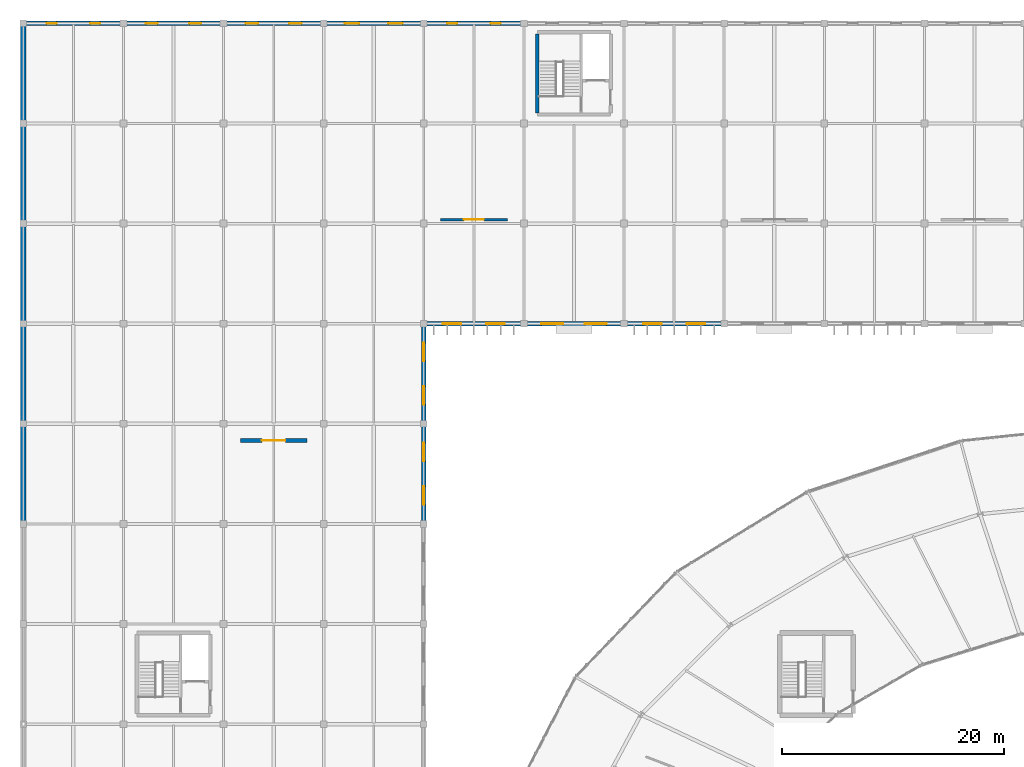
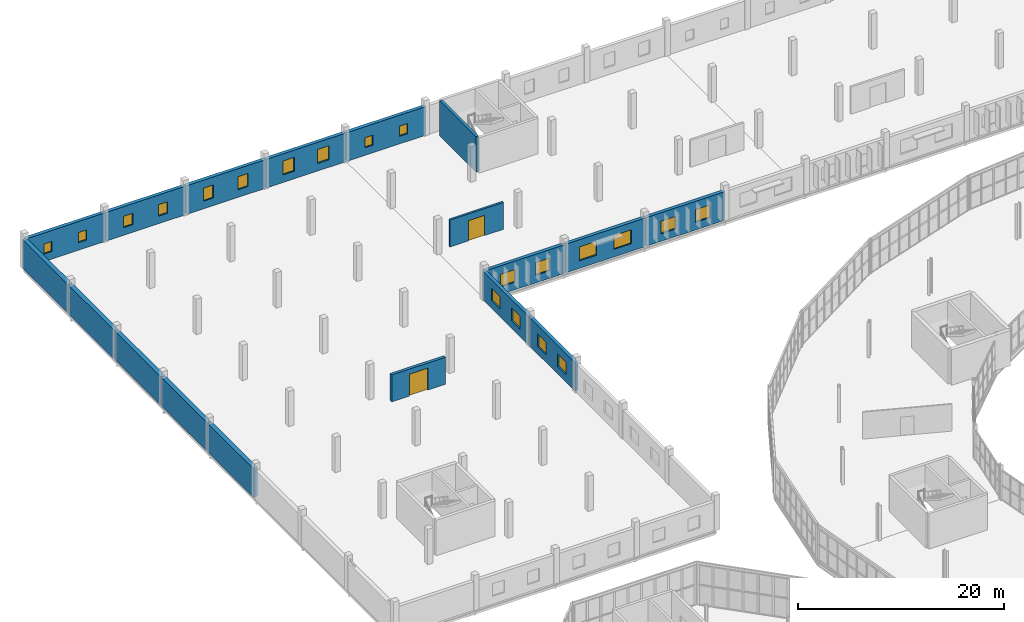
# One storey, part 144 of 161: 20 windows, 18 walls, 2 doors, 22 openings.
"""IFC4 building model written with IfcOpenShell, lengths in metres."""

import ifcopenshell
import ifcopenshell.guid

model = None  # the IFC model being written
_history = None  # IfcOwnerHistory: only IFC2X3 demands one
_inside = {}  # id of a spatial element -> (the spatial element, [elements in it])
_under = {}  # id of a project, library or spatial element -> (it, [spatial elements below it])
_declared = {}  # id of a project -> (the project, [libraries it declares])
_typed = {}  # id of a type object -> (the type object, [elements of that type])
_made_of = {}  # id of a material, layer set ... -> (it, [elements and type objects made of it])


def new_model(schema):
    """Start an empty IFC model of exactly this schema.

    Asked for "IFC4X3", IfcOpenShell would pick the latest addendum, in which some entities
    have other attributes; the version numbers below select the first issue.
    IFC2X3 requires an IfcOwnerHistory on every rooted entity: one is made here for all.
    """
    global model, _history
    if schema == "IFC4X3":
        model = ifcopenshell.file(schema_version=(4, 3, 0, 0))
    else:
        model = ifcopenshell.file(schema=schema)
    _inside.clear()
    _under.clear()
    _declared.clear()
    _typed.clear()
    _made_of.clear()
    _history = None
    if model.schema == "IFC2X3":
        org = make("IfcOrganization", Name="unknown")
        user = make(
            "IfcPersonAndOrganization",
            ThePerson=make("IfcPerson", FamilyName="unknown"),
            TheOrganization=org,
        )
        app = make(
            "IfcApplication",
            ApplicationDeveloper=org,
            Version="unknown",
            ApplicationFullName="unknown",
            ApplicationIdentifier="unknown",
        )
        _history = make(
            "IfcOwnerHistory",
            OwningUser=user,
            OwningApplication=app,
            ChangeAction="ADDED",
            CreationDate=0,
        )
    return model


def make(cls, **values):
    """One entity of the class cls with the attributes given. An attribute that is None is left unset."""
    return model.create_entity(
        cls, **{name: value for name, value in values.items() if value is not None}
    )


def rooted(cls, **values):
    """An entity with a GlobalId (a new one), such as an element, a storey or a relation."""
    return make(cls, GlobalId=ifcopenshell.guid.new(), OwnerHistory=_history, **values)


def si_unit(unit_type, name, prefix=None):
    """IfcSIUnit, for example si_unit("LENGTHUNIT", "METRE", prefix="MILLI")."""
    return make("IfcSIUnit", UnitType=unit_type, Prefix=prefix, Name=name)


def assignment(units):
    """IfcUnitAssignment: the units of a project."""
    return None if units is None else make("IfcUnitAssignment", Units=units)


def point(xyz):
    """IfcCartesianPoint."""
    return None if xyz is None else make("IfcCartesianPoint", Coordinates=xyz)


def direction(xyz):
    """IfcDirection."""
    return None if xyz is None else make("IfcDirection", DirectionRatios=xyz)


def frame(location, z_axis=None, x_axis=None):
    """IfcAxis2Placement3D, a coordinate frame: its origin and axes. An axis left out is left unset."""
    return make(
        "IfcAxis2Placement3D",
        Location=point(location),
        Axis=direction(z_axis),
        RefDirection=direction(x_axis),
    )


def frame_2d(location, x_axis=None):
    """IfcAxis2Placement2D, a coordinate frame in the plane: its origin and x axis."""
    return make(
        "IfcAxis2Placement2D", Location=point(location), RefDirection=direction(x_axis)
    )


def origin():
    """The frame at (0, 0, 0) with its axes left unset."""
    return frame((0.0, 0.0, 0.0))


def place(relative_to, where):
    """IfcLocalPlacement: puts the frame where relative to a parent placement (None: the world)."""
    return make(
        "IfcLocalPlacement", PlacementRelTo=relative_to, RelativePlacement=where
    )


def context(
    kind, dimensions, precision=None, world=None, true_north=None, identifier=None
):
    """IfcGeometricRepresentationContext, for example the 3D "Model" context."""
    return make(
        "IfcGeometricRepresentationContext",
        ContextIdentifier=identifier,
        ContextType=kind,
        CoordinateSpaceDimension=dimensions,
        Precision=precision,
        WorldCoordinateSystem=world,
        TrueNorth=true_north,
    )


def subcontext(parent, identifier, kind, view, scale=None):
    """IfcGeometricRepresentationSubContext, for example "Body" below "Model"."""
    return make(
        "IfcGeometricRepresentationSubContext",
        ContextIdentifier=identifier,
        ContextType=kind,
        ParentContext=parent,
        TargetScale=scale,
        TargetView=view,
    )


def project(units=None, contexts=None):
    """IfcProject with its units and contexts."""
    return rooted(
        "IfcProject",
        Name="project",
        RepresentationContexts=contexts,
        UnitsInContext=assignment(units),
    )


def spatial(cls, under=None, at=None, **own):
    """A site, building, storey or space (cls), placed at a placement, below another one or the project."""
    s = rooted(cls, ObjectPlacement=at, **own)
    if under is not None:
        _under.setdefault(under.id(), (under, []))[1].append(s)
    return s


def profile(cls, at=None, kind="AREA", **sizes):
    """A parametric profile (cls). Its sizes go by their IFC names, for example OverallWidth=200.0."""
    return make(cls, ProfileType=kind, Position=at, **sizes)


def rectangle(**sizes):
    """IfcRectangleProfileDef."""
    return profile("IfcRectangleProfileDef", **sizes)


def extrude(swept, where, along, depth):
    """IfcExtrudedAreaSolid: the profile swept, set in the frame where, extruded along a direction by depth."""
    return make(
        "IfcExtrudedAreaSolid",
        SweptArea=swept,
        Position=where,
        ExtrudedDirection=direction(along),
        Depth=depth,
    )


def shape(context_of_items, identifier, shape_type, items):
    """IfcShapeRepresentation: the items that make up one representation, for example the "Body"."""
    return make(
        "IfcShapeRepresentation",
        ContextOfItems=context_of_items,
        RepresentationIdentifier=identifier,
        RepresentationType=shape_type,
        Items=items,
    )


def material(Name=None, Category=None):
    """IfcMaterial."""
    return make("IfcMaterial", Name=Name, Category=Category)


def layer(
    of_material, thickness, ventilated=None, Name=None, Category=None, Priority=None
):
    """IfcMaterialLayer: one layer of a wall or slab, of a material (None: an air gap)."""
    return make(
        "IfcMaterialLayer",
        Material=of_material,
        LayerThickness=thickness,
        IsVentilated=ventilated,
        Name=Name,
        Category=Category,
        Priority=Priority,
    )


def layer_set(layers, Name=None):
    """IfcMaterialLayerSet."""
    return make("IfcMaterialLayerSet", MaterialLayers=layers, LayerSetName=Name)


def made_of(thing, what):
    """Note that an element or type object is made of a material, layer set ...; save() writes the relation."""
    if what is not None:
        _made_of.setdefault(what.id(), (what, []))[1].append(thing)
    return thing


def type_object(cls, material=None, **own):
    """A type object (cls), such as IfcWallType, which elements share."""
    return made_of(rooted(cls, **own), material)


def element(
    cls,
    number,
    at=None,
    inside=None,
    cuts=None,
    type_object=None,
    material=None,
    context=None,
    identifier="Body",
    shape_type=None,
    held_by="IfcProductDefinitionShape",
    body=None,
    shapes=None,
    **own,
):
    """One element of the class cls, such as IfcWall. Its Tag is "e" and its number.

    at: its placement. inside: the storey or other place that contains it. cuts: it is an
    opening in that element (IfcRelVoidsElement). A single representation is given by context,
    identifier, shape_type and body (its items); several are given by shapes. held_by: the class
    of the entity that holds the representations. save() writes the other relations.
    """
    e = rooted(cls, Tag="e%d" % number, ObjectPlacement=at, **own)
    if body is not None:
        shapes = [shape(context, identifier, shape_type, body)]
    if shapes is not None:
        e.Representation = make(held_by, Representations=shapes)
    if inside is not None:
        _inside.setdefault(inside.id(), (inside, []))[1].append(e)
    if cuts is not None:
        rooted(
            "IfcRelVoidsElement", RelatingBuildingElement=cuts, RelatedOpeningElement=e
        )
    if type_object is not None:
        _typed.setdefault(type_object.id(), (type_object, []))[1].append(e)
    return made_of(e, material)


def fill(opening, filler):
    """IfcRelFillsElement: the door or window that sits in an opening."""
    return rooted(
        "IfcRelFillsElement",
        RelatingOpeningElement=opening,
        RelatedBuildingElement=filler,
    )


def aggregate(whole, parts):
    """IfcRelAggregates: a whole, such as a stair, and the parts it consists of."""
    return rooted("IfcRelAggregates", RelatingObject=whole, RelatedObjects=parts)


def save(model, path):
    """Write the relations noted so far, then the file.

    IfcRelAggregates (storeys below a building ...), IfcRelContainedInSpatialStructure (elements
    in a storey), IfcRelDefinesByType, IfcRelAssociatesMaterial and IfcRelDeclares: one each for
    every whole, place, type object, material and project.
    """
    for whole, parts in _under.values():
        aggregate(whole, parts)
    for where, things in _inside.values():
        rooted(
            "IfcRelContainedInSpatialStructure",
            RelatedElements=things,
            RelatingStructure=where,
        )
    for kind, things in _typed.values():
        rooted("IfcRelDefinesByType", RelatedObjects=things, RelatingType=kind)
    for what, things in _made_of.values():
        rooted("IfcRelAssociatesMaterial", RelatedObjects=things, RelatingMaterial=what)
    for by, libraries in _declared.values():
        rooted("IfcRelDeclares", RelatingContext=by, RelatedDefinitions=libraries)
    model.write(path)


model = new_model("IFC4")

# Units and contexts
model_context = context("Model", 3, precision=1e-05, world=origin(), true_north=direction((0.0, 1.0)))
body_context = subcontext(model_context, "Body", "Model", "MODEL_VIEW")
ifc_project = project(units=[si_unit("LENGTHUNIT", "METRE"), si_unit("AREAUNIT", "SQUARE_METRE"), si_unit("VOLUMEUNIT", "CUBIC_METRE"), si_unit("PLANEANGLEUNIT", "RADIAN"), si_unit("MASSUNIT", "GRAM", prefix="KILO")], contexts=[model_context])

# Site, building, storey
site_placement = place(None, origin())
site = spatial("IfcSite", under=ifc_project, at=site_placement, CompositionType="ELEMENT")
building_placement = place(site_placement, origin())
building = spatial("IfcBuilding", under=site, at=building_placement, Name="Kildeholm Park Wholesale Market", CompositionType="ELEMENT")
storey_placement = place(building_placement, frame((0.0, 0.0, 5.39990234375)))
storey = spatial("IfcBuildingStorey", under=building, at=storey_placement, Name="L01", CompositionType="ELEMENT", Elevation=5.39990234375)

# Wall, openings, windows
ifc_material_1 = material(Name="Precast concrete C40/50 insulated cold-store envelope wall", Category="concrete")
ifc_layer_1 = layer(ifc_material_1, 0.3798828125)
ifc_layer_set_1 = layer_set([ifc_layer_1], Name="Precast concrete C40/50 insulated cold-store envelope wall")
wall_type_1 = type_object("IfcWallType", Name="Exterior wall W-CS1 380 mm", PredefinedType="SOLIDWALL", material=ifc_layer_set_1)
wall_1_placement = place(storey_placement, frame((0.06005859375, 171.0, 0.0), z_axis=(0.0, 0.0, 1.0), x_axis=(1.0, 0.0, 0.0)))
wall_1 = element("IfcWall", 1, at=wall_1_placement, inside=storey, type_object=wall_type_1, Name="Exterior wall V4N-L01.1 WL-0337", PredefinedType="SOLIDWALL", context=body_context, shape_type="SweptSolid", body=[
    extrude(rectangle(XDim=8.8798828125, YDim=0.3798828125, at=frame_2d((4.43994140625, 0.0))), origin(), (0.0, 0.0, 1.0), 3.400146484375),
])
opening_1_placement = place(wall_1_placement, frame((2.035888671875, 0.0, 0.89990234375)))
opening_1 = element("IfcOpeningElement", 2, at=opening_1_placement, cuts=wall_1, Name="Opening WN-17", PredefinedType="OPENING", context=body_context, shape_type="SweptSolid", body=[
    extrude(rectangle(XDim=0.89990234375, YDim=1.199951171875, at=frame_2d((0.449951171875, 0.60009765625))), frame((0.0, 0.199951171875, 0.0), z_axis=(0.0, -1.0, 0.0), x_axis=(1.0, 0.0, 0.0)), (0.0, 0.0, 1.0), 0.39990234375),
])
opening_2_placement = place(wall_1_placement, frame((5.944091796875, 0.0, 0.89990234375)))
opening_2 = element("IfcOpeningElement", 3, at=opening_2_placement, cuts=wall_1, Name="Opening WN-17", PredefinedType="OPENING", context=body_context, shape_type="SweptSolid", body=[
    extrude(rectangle(XDim=0.89990234375, YDim=1.199951171875, at=frame_2d((0.449951171875, 0.60009765625))), frame((0.0, 0.199951171875, 0.0), z_axis=(0.0, -1.0, 0.0), x_axis=(1.0, 0.0, 0.0)), (0.0, 0.0, 1.0), 0.39990234375),
])
ifc_material_2 = material(Name="Thermally broken aluminium and triple-glazed low-E glass", Category="aluminium")
window_type_1 = type_object("IfcWindowType", Name="Window WN-17 900x1200", PartitioningType="SINGLE_PANEL", PredefinedType="WINDOW", material=ifc_material_2)
window_1_placement = place(opening_1_placement, origin())
window_1 = element("IfcWindow", 4, at=window_1_placement, inside=storey, type_object=window_type_1, Name="Window V4N-L01.1.1 WIN-0101", OverallHeight=1.199951171875, OverallWidth=0.89990234375, PartitioningType="SINGLE_PANEL", PredefinedType="WINDOW", context=body_context, shape_type="SweptSolid", body=[
    extrude(rectangle(XDim=0.89990234375, YDim=1.199951171875, at=frame_2d((0.449951171875, 0.60009765625))), frame((0.0, 0.030029296875, 0.0), z_axis=(0.0, -1.0, 0.0), x_axis=(1.0, 0.0, 0.0)), (0.0, 0.0, 1.0), 0.06005859375),
])
fill(opening_1, window_1)
window_2_placement = place(opening_2_placement, origin())
window_2 = element("IfcWindow", 5, at=window_2_placement, inside=storey, type_object=window_type_1, Name="Window V4N-L01.1.2 WIN-0102", OverallHeight=1.199951171875, OverallWidth=0.89990234375, PartitioningType="SINGLE_PANEL", PredefinedType="WINDOW", context=body_context, shape_type="SweptSolid", body=[
    extrude(rectangle(XDim=0.89990234375, YDim=1.199951171875, at=frame_2d((0.449951171875, 0.60009765625))), frame((0.0, 0.030029296875, 0.0), z_axis=(0.0, -1.0, 0.0), x_axis=(1.0, 0.0, 0.0)), (0.0, 0.0, 1.0), 0.06005859375),
])
fill(opening_2, window_2)

wall_2_placement = place(storey_placement, frame((9.06005859375, 171.0, 0.0), z_axis=(0.0, 0.0, 1.0), x_axis=(1.0, 0.0, 0.0)))
wall_2 = element("IfcWall", 6, at=wall_2_placement, inside=storey, type_object=wall_type_1, Name="Exterior wall V4N-L01.2 WL-0338", PredefinedType="SOLIDWALL", context=body_context, shape_type="SweptSolid", body=[
    extrude(rectangle(XDim=8.8798828125, YDim=0.3798828125, at=frame_2d((4.43994140625, 0.0))), origin(), (0.0, 0.0, 1.0), 3.400146484375),
])
opening_3_placement = place(wall_2_placement, frame((1.9609375, 0.0, 0.89990234375)))
opening_3 = element("IfcOpeningElement", 7, at=opening_3_placement, cuts=wall_2, Name="Opening WN-26", PredefinedType="OPENING", context=body_context, shape_type="SweptSolid", body=[
    extrude(rectangle(XDim=1.050048828125, YDim=1.35009765625, at=frame_2d((0.52490234375, 0.675048828125))), frame((0.0, 0.199951171875, 0.0), z_axis=(0.0, -1.0, 0.0), x_axis=(1.0, 0.0, 0.0)), (0.0, 0.0, 1.0), 0.39990234375),
])
opening_4_placement = place(wall_2_placement, frame((5.868896484375, 0.0, 0.89990234375)))
opening_4 = element("IfcOpeningElement", 8, at=opening_4_placement, cuts=wall_2, Name="Opening WN-26", PredefinedType="OPENING", context=body_context, shape_type="SweptSolid", body=[
    extrude(rectangle(XDim=1.050048828125, YDim=1.35009765625, at=frame_2d((0.52490234375, 0.675048828125))), frame((0.0, 0.199951171875, 0.0), z_axis=(0.0, -1.0, 0.0), x_axis=(1.0, 0.0, 0.0)), (0.0, 0.0, 1.0), 0.39990234375),
])
window_type_2 = type_object("IfcWindowType", Name="Window WN-26 1050x1350", PartitioningType="SINGLE_PANEL", PredefinedType="WINDOW", material=ifc_material_2)
window_3_placement = place(opening_3_placement, origin())
window_3 = element("IfcWindow", 9, at=window_3_placement, inside=storey, type_object=window_type_2, Name="Window V4N-L01.2.1 WIN-0103", OverallHeight=1.35009765625, OverallWidth=1.050048828125, PartitioningType="SINGLE_PANEL", PredefinedType="WINDOW", context=body_context, shape_type="SweptSolid", body=[
    extrude(rectangle(XDim=1.050048828125, YDim=1.35009765625, at=frame_2d((0.52490234375, 0.675048828125))), frame((0.0, 0.030029296875, 0.0), z_axis=(0.0, -1.0, 0.0), x_axis=(1.0, 0.0, 0.0)), (0.0, 0.0, 1.0), 0.06005859375),
])
fill(opening_3, window_3)
window_4_placement = place(opening_4_placement, origin())
window_4 = element("IfcWindow", 10, at=window_4_placement, inside=storey, type_object=window_type_2, Name="Window V4N-L01.2.2 WIN-0104", OverallHeight=1.35009765625, OverallWidth=1.050048828125, PartitioningType="SINGLE_PANEL", PredefinedType="WINDOW", context=body_context, shape_type="SweptSolid", body=[
    extrude(rectangle(XDim=1.050048828125, YDim=1.35009765625, at=frame_2d((0.52490234375, 0.675048828125))), frame((0.0, 0.030029296875, 0.0), z_axis=(0.0, -1.0, 0.0), x_axis=(1.0, 0.0, 0.0)), (0.0, 0.0, 1.0), 0.06005859375),
])
fill(opening_4, window_4)

wall_3_placement = place(storey_placement, frame((18.06005859375, 171.0, 0.0), z_axis=(0.0, 0.0, 1.0), x_axis=(1.0, 0.0, 0.0)))
wall_3 = element("IfcWall", 11, at=wall_3_placement, inside=storey, type_object=wall_type_1, Name="Exterior wall V4N-L01.3 WL-0339", PredefinedType="SOLIDWALL", context=body_context, shape_type="SweptSolid", body=[
    extrude(rectangle(XDim=8.8798828125, YDim=0.3798828125, at=frame_2d((4.43994140625, 0.0))), origin(), (0.0, 0.0, 1.0), 3.400146484375),
])
opening_5_placement = place(wall_3_placement, frame((1.926025390625, 0.0, 0.89990234375)))
opening_5 = element("IfcOpeningElement", 12, at=opening_5_placement, cuts=wall_3, Name="Opening WN-35", PredefinedType="OPENING", context=body_context, shape_type="SweptSolid", body=[
    extrude(rectangle(XDim=1.1201171875, YDim=1.550048828125, at=frame_2d((0.56005859375, 0.77490234375))), frame((0.0, 0.199951171875, 0.0), z_axis=(0.0, -1.0, 0.0), x_axis=(1.0, 0.0, 0.0)), (0.0, 0.0, 1.0), 0.39990234375),
])
opening_6_placement = place(wall_3_placement, frame((5.833984375, 0.0, 0.89990234375)))
opening_6 = element("IfcOpeningElement", 13, at=opening_6_placement, cuts=wall_3, Name="Opening WN-35", PredefinedType="OPENING", context=body_context, shape_type="SweptSolid", body=[
    extrude(rectangle(XDim=1.1201171875, YDim=1.550048828125, at=frame_2d((0.56005859375, 0.77490234375))), frame((0.0, 0.199951171875, 0.0), z_axis=(0.0, -1.0, 0.0), x_axis=(1.0, 0.0, 0.0)), (0.0, 0.0, 1.0), 0.39990234375),
])
window_type_3 = type_object("IfcWindowType", Name="Window WN-35 1120x1550", PartitioningType="SINGLE_PANEL", PredefinedType="WINDOW", material=ifc_material_2)
window_5_placement = place(opening_5_placement, origin())
window_5 = element("IfcWindow", 14, at=window_5_placement, inside=storey, type_object=window_type_3, Name="Window V4N-L01.3.1 WIN-0105", OverallHeight=1.550048828125, OverallWidth=1.1201171875, PartitioningType="SINGLE_PANEL", PredefinedType="WINDOW", context=body_context, shape_type="SweptSolid", body=[
    extrude(rectangle(XDim=1.1201171875, YDim=1.550048828125, at=frame_2d((0.56005859375, 0.77490234375))), frame((0.0, 0.030029296875, 0.0), z_axis=(0.0, -1.0, 0.0), x_axis=(1.0, 0.0, 0.0)), (0.0, 0.0, 1.0), 0.06005859375),
])
fill(opening_5, window_5)
window_6_placement = place(opening_6_placement, origin())
window_6 = element("IfcWindow", 15, at=window_6_placement, inside=storey, type_object=window_type_3, Name="Window V4N-L01.3.2 WIN-0106", OverallHeight=1.550048828125, OverallWidth=1.1201171875, PartitioningType="SINGLE_PANEL", PredefinedType="WINDOW", context=body_context, shape_type="SweptSolid", body=[
    extrude(rectangle(XDim=1.1201171875, YDim=1.550048828125, at=frame_2d((0.56005859375, 0.77490234375))), frame((0.0, 0.030029296875, 0.0), z_axis=(0.0, -1.0, 0.0), x_axis=(1.0, 0.0, 0.0)), (0.0, 0.0, 1.0), 0.06005859375),
])
fill(opening_6, window_6)

wall_4_placement = place(storey_placement, frame((27.06005859375, 171.0, 0.0), z_axis=(0.0, 0.0, 1.0), x_axis=(1.0, 0.0, 0.0)))
wall_4 = element("IfcWall", 16, at=wall_4_placement, inside=storey, type_object=wall_type_1, Name="Exterior wall V4N-L01.4 WL-0340", PredefinedType="SOLIDWALL", context=body_context, shape_type="SweptSolid", body=[
    extrude(rectangle(XDim=8.8798828125, YDim=0.3798828125, at=frame_2d((4.43994140625, 0.0))), origin(), (0.0, 0.0, 1.0), 3.400146484375),
])
opening_7_placement = place(wall_4_placement, frame((1.845947265625, 0.0, 0.89990234375)))
opening_7 = element("IfcOpeningElement", 17, at=opening_7_placement, cuts=wall_4, Name="Opening WN-36", PredefinedType="OPENING", context=body_context, shape_type="SweptSolid", body=[
    extrude(rectangle(XDim=1.280029296875, YDim=1.64990234375, at=frame_2d((0.64013671875, 0.824951171875))), frame((0.0, 0.199951171875, 0.0), z_axis=(0.0, -1.0, 0.0), x_axis=(1.0, 0.0, 0.0)), (0.0, 0.0, 1.0), 0.39990234375),
])
opening_8_placement = place(wall_4_placement, frame((5.75390625, 0.0, 0.89990234375)))
opening_8 = element("IfcOpeningElement", 18, at=opening_8_placement, cuts=wall_4, Name="Opening WN-36", PredefinedType="OPENING", context=body_context, shape_type="SweptSolid", body=[
    extrude(rectangle(XDim=1.280029296875, YDim=1.64990234375, at=frame_2d((0.64013671875, 0.824951171875))), frame((0.0, 0.199951171875, 0.0), z_axis=(0.0, -1.0, 0.0), x_axis=(1.0, 0.0, 0.0)), (0.0, 0.0, 1.0), 0.39990234375),
])
window_type_4 = type_object("IfcWindowType", Name="Window WN-36 1280x1650", PartitioningType="DOUBLE_PANEL_VERTICAL", PredefinedType="WINDOW", material=ifc_material_2)
window_7_placement = place(opening_7_placement, origin())
window_7 = element("IfcWindow", 19, at=window_7_placement, inside=storey, type_object=window_type_4, Name="Window V4N-L01.4.1 WIN-0107", OverallHeight=1.64990234375, OverallWidth=1.280029296875, PartitioningType="SINGLE_PANEL", PredefinedType="WINDOW", context=body_context, shape_type="SweptSolid", body=[
    extrude(rectangle(XDim=1.280029296875, YDim=1.64990234375, at=frame_2d((0.64013671875, 0.824951171875))), frame((0.0, 0.030029296875, 0.0), z_axis=(0.0, -1.0, 0.0), x_axis=(1.0, 0.0, 0.0)), (0.0, 0.0, 1.0), 0.06005859375),
])
fill(opening_7, window_7)
window_8_placement = place(opening_8_placement, origin())
window_8 = element("IfcWindow", 20, at=window_8_placement, inside=storey, type_object=window_type_4, Name="Window V4N-L01.4.2 WIN-0108", OverallHeight=1.64990234375, OverallWidth=1.280029296875, PartitioningType="SINGLE_PANEL", PredefinedType="WINDOW", context=body_context, shape_type="SweptSolid", body=[
    extrude(rectangle(XDim=1.280029296875, YDim=1.64990234375, at=frame_2d((0.64013671875, 0.824951171875))), frame((0.0, 0.030029296875, 0.0), z_axis=(0.0, -1.0, 0.0), x_axis=(1.0, 0.0, 0.0)), (0.0, 0.0, 1.0), 0.06005859375),
])
fill(opening_8, window_8)

wall_5_placement = place(storey_placement, frame((36.06005859375, 171.0, 0.0), z_axis=(0.0, 0.0, 1.0), x_axis=(1.0, 0.0, 0.0)))
wall_5 = element("IfcWall", 21, at=wall_5_placement, inside=storey, type_object=wall_type_1, Name="Exterior wall V4N-L01.5 WL-0341", PredefinedType="SOLIDWALL", context=body_context, shape_type="SweptSolid", body=[
    extrude(rectangle(XDim=8.8798828125, YDim=0.3798828125, at=frame_2d((4.43994140625, 0.0))), origin(), (0.0, 0.0, 1.0), 3.400146484375),
])
opening_9_placement = place(wall_5_placement, frame((2.035888671875, 0.0, 0.89990234375)))
opening_9 = element("IfcOpeningElement", 22, at=opening_9_placement, cuts=wall_5, Name="Opening WN-17", PredefinedType="OPENING", context=body_context, shape_type="SweptSolid", body=[
    extrude(rectangle(XDim=0.89990234375, YDim=1.199951171875, at=frame_2d((0.449951171875, 0.60009765625))), frame((0.0, 0.199951171875, 0.0), z_axis=(0.0, -1.0, 0.0), x_axis=(1.0, 0.0, 0.0)), (0.0, 0.0, 1.0), 0.39990234375),
])
opening_10_placement = place(wall_5_placement, frame((5.944091796875, 0.0, 0.89990234375)))
opening_10 = element("IfcOpeningElement", 23, at=opening_10_placement, cuts=wall_5, Name="Opening WN-17", PredefinedType="OPENING", context=body_context, shape_type="SweptSolid", body=[
    extrude(rectangle(XDim=0.89990234375, YDim=1.199951171875, at=frame_2d((0.449951171875, 0.60009765625))), frame((0.0, 0.199951171875, 0.0), z_axis=(0.0, -1.0, 0.0), x_axis=(1.0, 0.0, 0.0)), (0.0, 0.0, 1.0), 0.39990234375),
])
window_9_placement = place(opening_9_placement, origin())
window_9 = element("IfcWindow", 24, at=window_9_placement, inside=storey, type_object=window_type_1, Name="Window V4N-L01.5.1 WIN-0109", OverallHeight=1.199951171875, OverallWidth=0.89990234375, PartitioningType="SINGLE_PANEL", PredefinedType="WINDOW", context=body_context, shape_type="SweptSolid", body=[
    extrude(rectangle(XDim=0.89990234375, YDim=1.199951171875, at=frame_2d((0.449951171875, 0.60009765625))), frame((0.0, 0.030029296875, 0.0), z_axis=(0.0, -1.0, 0.0), x_axis=(1.0, 0.0, 0.0)), (0.0, 0.0, 1.0), 0.06005859375),
])
fill(opening_9, window_9)
window_10_placement = place(opening_10_placement, origin())
window_10 = element("IfcWindow", 25, at=window_10_placement, inside=storey, type_object=window_type_1, Name="Window V4N-L01.5.2 WIN-0110", OverallHeight=1.199951171875, OverallWidth=0.89990234375, PartitioningType="SINGLE_PANEL", PredefinedType="WINDOW", context=body_context, shape_type="SweptSolid", body=[
    extrude(rectangle(XDim=0.89990234375, YDim=1.199951171875, at=frame_2d((0.449951171875, 0.60009765625))), frame((0.0, 0.030029296875, 0.0), z_axis=(0.0, -1.0, 0.0), x_axis=(1.0, 0.0, 0.0)), (0.0, 0.0, 1.0), 0.06005859375),
])
fill(opening_10, window_10)

wall_6_placement = place(storey_placement, frame((36.0, 126.06005859375, 0.0), z_axis=(0.0, 0.0, 1.0), x_axis=(0.0, 1.0, 0.0)))
wall_6 = element("IfcWall", 26, at=wall_6_placement, inside=storey, type_object=wall_type_1, Name="Exterior wall V4WE-L01.4 WL-0421", PredefinedType="SOLIDWALL", context=body_context, shape_type="SweptSolid", body=[
    extrude(rectangle(XDim=8.8798828125, YDim=0.3798828125, at=frame_2d((4.43994140625, 0.0))), origin(), (0.0, 0.0, 1.0), 3.400146484375),
])
opening_11_placement = place(wall_6_placement, frame((1.660888671875, 0.0, 0.89990234375)))
opening_11 = element("IfcOpeningElement", 27, at=opening_11_placement, cuts=wall_6, Name="Opening WN-11", PredefinedType="OPENING", context=body_context, shape_type="SweptSolid", body=[
    extrude(rectangle(XDim=1.64990234375, YDim=1.5, at=frame_2d((0.824951171875, 0.75))), frame((0.0, 0.199951171875, 0.0), z_axis=(0.0, -1.0, 0.0), x_axis=(1.0, 0.0, 0.0)), (0.0, 0.0, 1.0), 0.39990234375),
])
opening_12_placement = place(wall_6_placement, frame((5.569091796875, 0.0, 0.89990234375)))
opening_12 = element("IfcOpeningElement", 28, at=opening_12_placement, cuts=wall_6, Name="Opening WN-11", PredefinedType="OPENING", context=body_context, shape_type="SweptSolid", body=[
    extrude(rectangle(XDim=1.64990234375, YDim=1.5, at=frame_2d((0.824951171875, 0.75))), frame((0.0, 0.199951171875, 0.0), z_axis=(0.0, -1.0, 0.0), x_axis=(1.0, 0.0, 0.0)), (0.0, 0.0, 1.0), 0.39990234375),
])
window_type_5 = type_object("IfcWindowType", Name="Window WN-11 1650x1500", PartitioningType="DOUBLE_PANEL_VERTICAL", PredefinedType="WINDOW", material=ifc_material_2)
window_11_placement = place(opening_11_placement, origin())
window_11 = element("IfcWindow", 29, at=window_11_placement, inside=storey, type_object=window_type_5, Name="Window V4WE-L01.4.1 WIN-0211", OverallHeight=1.5, OverallWidth=1.64990234375, PartitioningType="SINGLE_PANEL", PredefinedType="WINDOW", context=body_context, shape_type="SweptSolid", body=[
    extrude(rectangle(XDim=1.64990234375, YDim=1.5, at=frame_2d((0.824951171875, 0.75))), frame((0.0, 0.030029296875, 0.0), z_axis=(0.0, -1.0, 0.0), x_axis=(1.0, 0.0, 0.0)), (0.0, 0.0, 1.0), 0.06005859375),
])
fill(opening_11, window_11)
window_12_placement = place(opening_12_placement, origin())
window_12 = element("IfcWindow", 30, at=window_12_placement, inside=storey, type_object=window_type_5, Name="Window V4WE-L01.4.2 WIN-0212", OverallHeight=1.5, OverallWidth=1.64990234375, PartitioningType="SINGLE_PANEL", PredefinedType="WINDOW", context=body_context, shape_type="SweptSolid", body=[
    extrude(rectangle(XDim=1.64990234375, YDim=1.5, at=frame_2d((0.824951171875, 0.75))), frame((0.0, 0.030029296875, 0.0), z_axis=(0.0, -1.0, 0.0), x_axis=(1.0, 0.0, 0.0)), (0.0, 0.0, 1.0), 0.06005859375),
])
fill(opening_12, window_12)

wall_7_placement = place(storey_placement, frame((36.0, 135.06005859375, 0.0), z_axis=(0.0, 0.0, 1.0), x_axis=(0.0, 1.0, 0.0)))
wall_7 = element("IfcWall", 31, at=wall_7_placement, inside=storey, type_object=wall_type_1, Name="Exterior wall V4WE-L01.5 WL-0422", PredefinedType="SOLIDWALL", context=body_context, shape_type="SweptSolid", body=[
    extrude(rectangle(XDim=8.8798828125, YDim=0.3798828125, at=frame_2d((4.43994140625, 0.0))), origin(), (0.0, 0.0, 1.0), 3.400146484375),
])
opening_13_placement = place(wall_7_placement, frame((1.660888671875, 0.0, 0.89990234375)))
opening_13 = element("IfcOpeningElement", 32, at=opening_13_placement, cuts=wall_7, Name="Opening WN-11", PredefinedType="OPENING", context=body_context, shape_type="SweptSolid", body=[
    extrude(rectangle(XDim=1.64990234375, YDim=1.5, at=frame_2d((0.824951171875, 0.75))), frame((0.0, 0.199951171875, 0.0), z_axis=(0.0, -1.0, 0.0), x_axis=(1.0, 0.0, 0.0)), (0.0, 0.0, 1.0), 0.39990234375),
])
opening_14_placement = place(wall_7_placement, frame((5.569091796875, 0.0, 0.89990234375)))
opening_14 = element("IfcOpeningElement", 33, at=opening_14_placement, cuts=wall_7, Name="Opening WN-11", PredefinedType="OPENING", context=body_context, shape_type="SweptSolid", body=[
    extrude(rectangle(XDim=1.64990234375, YDim=1.5, at=frame_2d((0.824951171875, 0.75))), frame((0.0, 0.199951171875, 0.0), z_axis=(0.0, -1.0, 0.0), x_axis=(1.0, 0.0, 0.0)), (0.0, 0.0, 1.0), 0.39990234375),
])
window_13_placement = place(opening_13_placement, origin())
window_13 = element("IfcWindow", 34, at=window_13_placement, inside=storey, type_object=window_type_5, Name="Window V4WE-L01.5.1 WIN-0213", OverallHeight=1.5, OverallWidth=1.64990234375, PartitioningType="SINGLE_PANEL", PredefinedType="WINDOW", context=body_context, shape_type="SweptSolid", body=[
    extrude(rectangle(XDim=1.64990234375, YDim=1.5, at=frame_2d((0.824951171875, 0.75))), frame((0.0, 0.030029296875, 0.0), z_axis=(0.0, -1.0, 0.0), x_axis=(1.0, 0.0, 0.0)), (0.0, 0.0, 1.0), 0.06005859375),
])
fill(opening_13, window_13)
window_14_placement = place(opening_14_placement, origin())
window_14 = element("IfcWindow", 35, at=window_14_placement, inside=storey, type_object=window_type_5, Name="Window V4WE-L01.5.2 WIN-0214", OverallHeight=1.5, OverallWidth=1.64990234375, PartitioningType="SINGLE_PANEL", PredefinedType="WINDOW", context=body_context, shape_type="SweptSolid", body=[
    extrude(rectangle(XDim=1.64990234375, YDim=1.5, at=frame_2d((0.824951171875, 0.75))), frame((0.0, 0.030029296875, 0.0), z_axis=(0.0, -1.0, 0.0), x_axis=(1.0, 0.0, 0.0)), (0.0, 0.0, 1.0), 0.06005859375),
])
fill(opening_14, window_14)

wall_8_placement = place(storey_placement, frame((36.06005859375, 144.0, 0.0), z_axis=(0.0, 0.0, 1.0), x_axis=(1.0, 0.0, 0.0)))
wall_8 = element("IfcWall", 36, at=wall_8_placement, inside=storey, type_object=wall_type_1, Name="Exterior wall V4S-L01.1 WL-0453", PredefinedType="SOLIDWALL", context=body_context, shape_type="SweptSolid", body=[
    extrude(rectangle(XDim=8.8798828125, YDim=0.3798828125, at=frame_2d((4.43994140625, 0.0))), origin(), (0.0, 0.0, 1.0), 3.400146484375),
])
opening_15_placement = place(wall_8_placement, frame((1.660888671875, 0.0, 0.89990234375)))
opening_15 = element("IfcOpeningElement", 37, at=opening_15_placement, cuts=wall_8, Name="Opening WN-11", PredefinedType="OPENING", context=body_context, shape_type="SweptSolid", body=[
    extrude(rectangle(XDim=1.64990234375, YDim=1.5, at=frame_2d((0.824951171875, 0.75))), frame((0.0, 0.199951171875, 0.0), z_axis=(0.0, -1.0, 0.0), x_axis=(1.0, 0.0, 0.0)), (0.0, 0.0, 1.0), 0.39990234375),
])
opening_16_placement = place(wall_8_placement, frame((5.569091796875, 0.0, 0.89990234375)))
opening_16 = element("IfcOpeningElement", 38, at=opening_16_placement, cuts=wall_8, Name="Opening WN-11", PredefinedType="OPENING", context=body_context, shape_type="SweptSolid", body=[
    extrude(rectangle(XDim=1.64990234375, YDim=1.5, at=frame_2d((0.824951171875, 0.75))), frame((0.0, 0.199951171875, 0.0), z_axis=(0.0, -1.0, 0.0), x_axis=(1.0, 0.0, 0.0)), (0.0, 0.0, 1.0), 0.39990234375),
])
window_15_placement = place(opening_15_placement, origin())
window_15 = element("IfcWindow", 39, at=window_15_placement, inside=storey, type_object=window_type_5, Name="Window V4S-L01.1.1 WIN-0233", OverallHeight=1.5, OverallWidth=1.64990234375, PartitioningType="SINGLE_PANEL", PredefinedType="WINDOW", context=body_context, shape_type="SweptSolid", body=[
    extrude(rectangle(XDim=1.64990234375, YDim=1.5, at=frame_2d((0.824951171875, 0.75))), frame((0.0, 0.030029296875, 0.0), z_axis=(0.0, -1.0, 0.0), x_axis=(1.0, 0.0, 0.0)), (0.0, 0.0, 1.0), 0.06005859375),
])
fill(opening_15, window_15)
window_16_placement = place(opening_16_placement, origin())
window_16 = element("IfcWindow", 40, at=window_16_placement, inside=storey, type_object=window_type_5, Name="Window V4S-L01.1.2 WIN-0234", OverallHeight=1.5, OverallWidth=1.64990234375, PartitioningType="SINGLE_PANEL", PredefinedType="WINDOW", context=body_context, shape_type="SweptSolid", body=[
    extrude(rectangle(XDim=1.64990234375, YDim=1.5, at=frame_2d((0.824951171875, 0.75))), frame((0.0, 0.030029296875, 0.0), z_axis=(0.0, -1.0, 0.0), x_axis=(1.0, 0.0, 0.0)), (0.0, 0.0, 1.0), 0.06005859375),
])
fill(opening_16, window_16)

wall_9_placement = place(storey_placement, frame((45.06005859375, 144.0, 0.0), z_axis=(0.0, 0.0, 1.0), x_axis=(1.0, 0.0, 0.0)))
wall_9 = element("IfcWall", 41, at=wall_9_placement, inside=storey, type_object=wall_type_1, Name="Exterior wall V4S-L01.2 WL-0454", PredefinedType="SOLIDWALL", context=body_context, shape_type="SweptSolid", body=[
    extrude(rectangle(XDim=8.8798828125, YDim=0.3798828125, at=frame_2d((4.43994140625, 0.0))), origin(), (0.0, 0.0, 1.0), 3.400146484375),
])
opening_17_placement = place(wall_9_placement, frame((1.510986328125, 0.0, 0.89990234375)))
opening_17 = element("IfcOpeningElement", 42, at=opening_17_placement, cuts=wall_9, Name="Opening WN-22", PredefinedType="OPENING", context=body_context, shape_type="SweptSolid", body=[
    extrude(rectangle(XDim=1.949951171875, YDim=1.64990234375, at=frame_2d((0.97509765625, 0.824951171875))), frame((0.0, 0.199951171875, 0.0), z_axis=(0.0, -1.0, 0.0), x_axis=(1.0, 0.0, 0.0)), (0.0, 0.0, 1.0), 0.39990234375),
])
opening_18_placement = place(wall_9_placement, frame((5.4189453125, 0.0, 0.89990234375)))
opening_18 = element("IfcOpeningElement", 43, at=opening_18_placement, cuts=wall_9, Name="Opening WN-22", PredefinedType="OPENING", context=body_context, shape_type="SweptSolid", body=[
    extrude(rectangle(XDim=1.949951171875, YDim=1.64990234375, at=frame_2d((0.97509765625, 0.824951171875))), frame((0.0, 0.199951171875, 0.0), z_axis=(0.0, -1.0, 0.0), x_axis=(1.0, 0.0, 0.0)), (0.0, 0.0, 1.0), 0.39990234375),
])
window_type_6 = type_object("IfcWindowType", Name="Window WN-22 1950x1650", PartitioningType="DOUBLE_PANEL_VERTICAL", PredefinedType="WINDOW", material=ifc_material_2)
window_17_placement = place(opening_17_placement, origin())
window_17 = element("IfcWindow", 44, at=window_17_placement, inside=storey, type_object=window_type_6, Name="Window V4S-L01.2.1 WIN-0235", OverallHeight=1.64990234375, OverallWidth=1.949951171875, PartitioningType="SINGLE_PANEL", PredefinedType="WINDOW", context=body_context, shape_type="SweptSolid", body=[
    extrude(rectangle(XDim=1.949951171875, YDim=1.64990234375, at=frame_2d((0.97509765625, 0.824951171875))), frame((0.0, 0.030029296875, 0.0), z_axis=(0.0, -1.0, 0.0), x_axis=(1.0, 0.0, 0.0)), (0.0, 0.0, 1.0), 0.06005859375),
])
fill(opening_17, window_17)
window_18_placement = place(opening_18_placement, origin())
window_18 = element("IfcWindow", 45, at=window_18_placement, inside=storey, type_object=window_type_6, Name="Window V4S-L01.2.2 WIN-0236", OverallHeight=1.64990234375, OverallWidth=1.949951171875, PartitioningType="SINGLE_PANEL", PredefinedType="WINDOW", context=body_context, shape_type="SweptSolid", body=[
    extrude(rectangle(XDim=1.949951171875, YDim=1.64990234375, at=frame_2d((0.97509765625, 0.824951171875))), frame((0.0, 0.030029296875, 0.0), z_axis=(0.0, -1.0, 0.0), x_axis=(1.0, 0.0, 0.0)), (0.0, 0.0, 1.0), 0.06005859375),
])
fill(opening_18, window_18)

wall_10_placement = place(storey_placement, frame((54.06005859375, 144.0, 0.0), z_axis=(0.0, 0.0, 1.0), x_axis=(1.0, 0.0, 0.0)))
wall_10 = element("IfcWall", 46, at=wall_10_placement, inside=storey, type_object=wall_type_1, Name="Exterior wall V4S-L01.3 WL-0455", PredefinedType="SOLIDWALL", context=body_context, shape_type="SweptSolid", body=[
    extrude(rectangle(XDim=8.8798828125, YDim=0.3798828125, at=frame_2d((4.43994140625, 0.0))), origin(), (0.0, 0.0, 1.0), 3.400146484375),
])
opening_19_placement = place(wall_10_placement, frame((1.660888671875, 0.0, 0.89990234375)))
opening_19 = element("IfcOpeningElement", 47, at=opening_19_placement, cuts=wall_10, Name="Opening WN-11", PredefinedType="OPENING", context=body_context, shape_type="SweptSolid", body=[
    extrude(rectangle(XDim=1.64990234375, YDim=1.5, at=frame_2d((0.824951171875, 0.75))), frame((0.0, 0.199951171875, 0.0), z_axis=(0.0, -1.0, 0.0), x_axis=(1.0, 0.0, 0.0)), (0.0, 0.0, 1.0), 0.39990234375),
])
opening_20_placement = place(wall_10_placement, frame((5.569091796875, 0.0, 0.89990234375)))
opening_20 = element("IfcOpeningElement", 48, at=opening_20_placement, cuts=wall_10, Name="Opening WN-11", PredefinedType="OPENING", context=body_context, shape_type="SweptSolid", body=[
    extrude(rectangle(XDim=1.64990234375, YDim=1.5, at=frame_2d((0.824951171875, 0.75))), frame((0.0, 0.199951171875, 0.0), z_axis=(0.0, -1.0, 0.0), x_axis=(1.0, 0.0, 0.0)), (0.0, 0.0, 1.0), 0.39990234375),
])
window_19_placement = place(opening_19_placement, origin())
window_19 = element("IfcWindow", 49, at=window_19_placement, inside=storey, type_object=window_type_5, Name="Window V4S-L01.3.1 WIN-0237", OverallHeight=1.5, OverallWidth=1.64990234375, PartitioningType="SINGLE_PANEL", PredefinedType="WINDOW", context=body_context, shape_type="SweptSolid", body=[
    extrude(rectangle(XDim=1.64990234375, YDim=1.5, at=frame_2d((0.824951171875, 0.75))), frame((0.0, 0.030029296875, 0.0), z_axis=(0.0, -1.0, 0.0), x_axis=(1.0, 0.0, 0.0)), (0.0, 0.0, 1.0), 0.06005859375),
])
fill(opening_19, window_19)
window_20_placement = place(opening_20_placement, origin())
window_20 = element("IfcWindow", 50, at=window_20_placement, inside=storey, type_object=window_type_5, Name="Window V4S-L01.3.2 WIN-0238", OverallHeight=1.5, OverallWidth=1.64990234375, PartitioningType="SINGLE_PANEL", PredefinedType="WINDOW", context=body_context, shape_type="SweptSolid", body=[
    extrude(rectangle(XDim=1.64990234375, YDim=1.5, at=frame_2d((0.824951171875, 0.75))), frame((0.0, 0.030029296875, 0.0), z_axis=(0.0, -1.0, 0.0), x_axis=(1.0, 0.0, 0.0)), (0.0, 0.0, 1.0), 0.06005859375),
])
fill(opening_20, window_20)

# Walls
ifc_material_3 = material(Name="Precast concrete C40/50 deep-freeze thermal envelope wall", Category="concrete")
ifc_layer_2 = layer(ifc_material_3, 0.47998046875)
ifc_layer_set_2 = layer_set([ifc_layer_2], Name="Precast concrete C40/50 deep-freeze thermal envelope wall")
wall_type_2 = type_object("IfcWallType", Name="Exterior wall W-CS2 480 mm", PredefinedType="SOLIDWALL", material=ifc_layer_set_2)
for number, where, z_axis, x_axis, name in (
    (51, (0.0, 126.06005859375, 0.0), (0.0, 0.0, 1.0), (0.0, 1.0, 0.0), "Exterior wall V4W-L01.4 WL-0388"),
    (52, (0.0, 135.06005859375, 0.0), (0.0, 0.0, 1.0), (0.0, 1.0, 0.0), "Exterior wall V4W-L01.5 WL-0389"),
    (53, (0.0, 144.06005859375, 0.0), (0.0, 0.0, 1.0), (0.0, 1.0, 0.0), "Exterior wall V4W-L01.6 WL-0390"),
    (54, (0.0, 153.06005859375, 0.0), (0.0, 0.0, 1.0), (0.0, 1.0, 0.0), "Exterior wall V4W-L01.7 WL-0391"),
    (55, (0.0, 162.06005859375, 0.0), (0.0, 0.0, 1.0), (0.0, 1.0, 0.0), "Exterior wall V4W-L01.8 WL-0392"),
):
    element("IfcWall", number, at=place(storey_placement, frame(where, z_axis=z_axis, x_axis=x_axis)), inside=storey, type_object=wall_type_2, Name=name, PredefinedType="SOLIDWALL", context=body_context, shape_type="SweptSolid", body=[
        extrude(rectangle(XDim=8.8798828125, YDim=0.47998046875, at=frame_2d((4.43994140625, 0.0))), origin(), (0.0, 0.0, 1.0), 3.400146484375),
    ])

# Wall, opening, door
ifc_material_4 = material(Name="Insulated cold-store internal sandwich wall")
ifc_layer_3 = layer(ifc_material_4, 0.22509765625)
ifc_layer_set_3 = layer_set([ifc_layer_3], Name="Insulated cold-store internal sandwich wall")
wall_type_3 = type_object("IfcWallType", Name="Partition W-PT09 225 mm", PredefinedType="PARTITIONING", material=ifc_layer_set_3)
wall_11_placement = place(storey_placement, frame((37.5, 153.35009765625, 0.0), z_axis=(0.0, 0.0, 1.0), x_axis=(1.0, 0.0, 0.0)))
wall_11 = element("IfcWall", 56, at=wall_11_placement, inside=storey, type_object=wall_type_3, Name="Interior partition W-V4-L01-CSS01 WL-0983", PredefinedType="PARTITIONING", context=body_context, shape_type="SweptSolid", body=[
    extrude(rectangle(XDim=6.0, YDim=0.22509765625, at=frame_2d((3.0, 0.0))), origin(), (0.0, 0.0, 1.0), 3.2001953125),
])
opening_21_placement = place(wall_11_placement, frame((2.10009765625, 0.0, 0.0)))
opening_21 = element("IfcOpeningElement", 57, at=opening_21_placement, cuts=wall_11, Name="Opening D-CS01", PredefinedType="OPENING", context=body_context, shape_type="SweptSolid", body=[
    extrude(rectangle(XDim=1.800048828125, YDim=2.39990234375, at=frame_2d((0.89990234375, 1.199951171875))), frame((0.0, 0.12255859375, 0.0), z_axis=(0.0, -1.0, 0.0), x_axis=(1.0, 0.0, 0.0)), (0.0, 0.0, 1.0), 0.2451171875),
])
ifc_material_5 = material(Name="Insulated stainless-steel sliding cold-store door", Category="steel")
door_type_1 = type_object("IfcDoorType", Name="Interior door D-CS01 1800x2400", OperationType="NOTDEFINED", PredefinedType="DOOR", material=ifc_material_5)
door_1_placement = place(opening_21_placement, origin())
door_1 = element("IfcDoor", 58, at=door_1_placement, inside=storey, type_object=door_type_1, Name="Interior door V4-L01-CSS01 DR-0258 WL-0983", OperationType="SLIDING_TO_RIGHT", OverallHeight=2.39990234375, OverallWidth=1.800048828125, PredefinedType="DOOR", context=body_context, shape_type="SweptSolid", body=[
    extrude(rectangle(XDim=1.800048828125, YDim=2.39990234375, at=frame_2d((0.89990234375, 1.199951171875))), frame((0.0, 0.02490234375, 0.0), z_axis=(0.0, -1.0, 0.0), x_axis=(1.0, 0.0, 0.0)), (0.0, 0.0, 1.0), 0.050048828125),
])
fill(opening_21, door_1)

ifc_material_6 = material(Name="Deep-freeze internal thermal barrier wall")
ifc_layer_4 = layer(ifc_material_6, 0.320068359375)
ifc_layer_set_4 = layer_set([ifc_layer_4], Name="Deep-freeze internal thermal barrier wall")
wall_type_4 = type_object("IfcWallType", Name="Partition W-PT11 320 mm", PredefinedType="PARTITIONING", material=ifc_layer_set_4)
wall_12_placement = place(storey_placement, frame((19.5, 133.5, 0.0), z_axis=(0.0, 0.0, 1.0), x_axis=(1.0, 0.0, 0.0)))
wall_12 = element("IfcWall", 59, at=wall_12_placement, inside=storey, type_object=wall_type_4, Name="Interior partition W-V4-L01-FZS WL-0990", PredefinedType="PARTITIONING", context=body_context, shape_type="SweptSolid", body=[
    extrude(rectangle(XDim=6.0, YDim=0.320068359375, at=frame_2d((3.0, 0.0))), origin(), (0.0, 0.0, 1.0), 3.2001953125),
])
opening_22_placement = place(wall_12_placement, frame((1.949951171875, 0.0, 0.0)))
opening_22 = element("IfcOpeningElement", 60, at=opening_22_placement, cuts=wall_12, Name="Opening D-CS02", PredefinedType="OPENING", context=body_context, shape_type="SweptSolid", body=[
    extrude(rectangle(XDim=2.10009765625, YDim=2.60009765625, at=frame_2d((1.050048828125, 1.300048828125))), frame((0.0, 0.169921875, 0.0), z_axis=(0.0, -1.0, 0.0), x_axis=(1.0, 0.0, 0.0)), (0.0, 0.0, 1.0), 0.340087890625),
])
ifc_material_7 = material(Name="Insulated stainless-steel pallet freezer sliding door", Category="steel")
door_type_2 = type_object("IfcDoorType", Name="Interior door D-CS02 2100x2600", OperationType="NOTDEFINED", PredefinedType="DOOR", material=ifc_material_7)
door_2_placement = place(opening_22_placement, origin())
door_2 = element("IfcDoor", 61, at=door_2_placement, inside=storey, type_object=door_type_2, Name="Interior door V4-L01-FZS DR-0265 WL-0990", OperationType="SLIDING_TO_LEFT", OverallHeight=2.60009765625, OverallWidth=2.10009765625, PredefinedType="DOOR", context=body_context, shape_type="SweptSolid", body=[
    extrude(rectangle(XDim=2.10009765625, YDim=2.60009765625, at=frame_2d((1.050048828125, 1.300048828125))), frame((0.0, 0.02490234375, 0.0), z_axis=(0.0, -1.0, 0.0), x_axis=(1.0, 0.0, 0.0)), (0.0, 0.0, 1.0), 0.050048828125),
])
fill(opening_22, door_2)

# Wall
ifc_material_8 = material(Name="Concrete C40/50", Category="concrete")
ifc_layer_5 = layer(ifc_material_8, 0.300048828125)
ifc_layer_set_5 = layer_set([ifc_layer_5], Name="Concrete C40/50")
wall_type_5 = type_object("IfcWallType", Name="Shear wall W-SH1 300 mm", PredefinedType="SHEAR", material=ifc_layer_set_5)
wall_13_placement = place(storey_placement, frame((46.199951171875, 162.949951171875, 0.0), z_axis=(0.0, 0.0, 1.0), x_axis=(0.0, 1.0, 0.0)))
element("IfcWall", 62, at=wall_13_placement, inside=storey, type_object=wall_type_5, Name="Core C02 west shear wall L01 WL-0673", PredefinedType="SHEAR", context=body_context, shape_type="SweptSolid", body=[
    extrude(rectangle(XDim=7.10009765625, YDim=0.300048828125, at=frame_2d((3.550048828125, 0.0))), origin(), (0.0, 0.0, 1.0), 4.2001953125),
])

save(model, "model.ifc")
